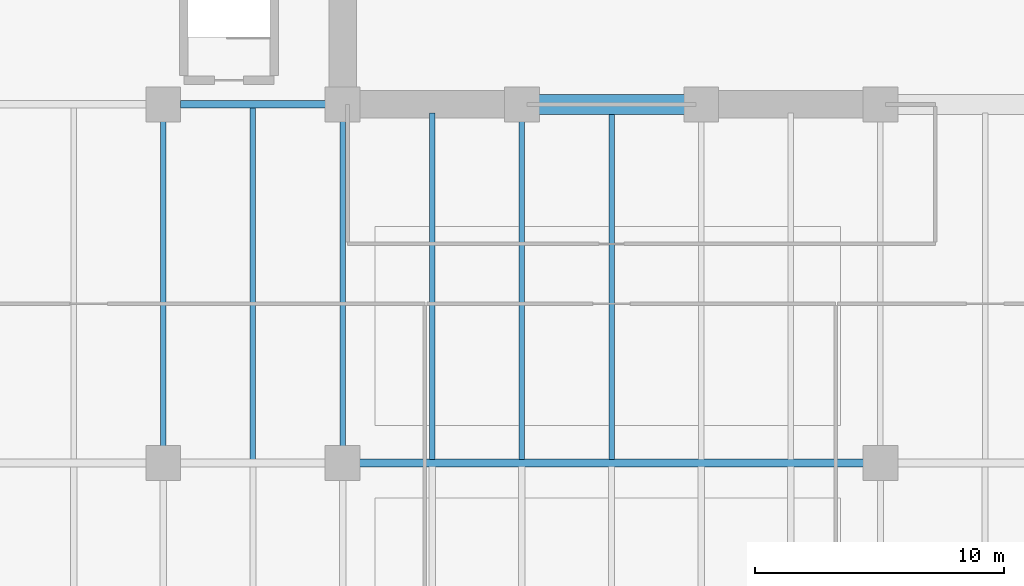
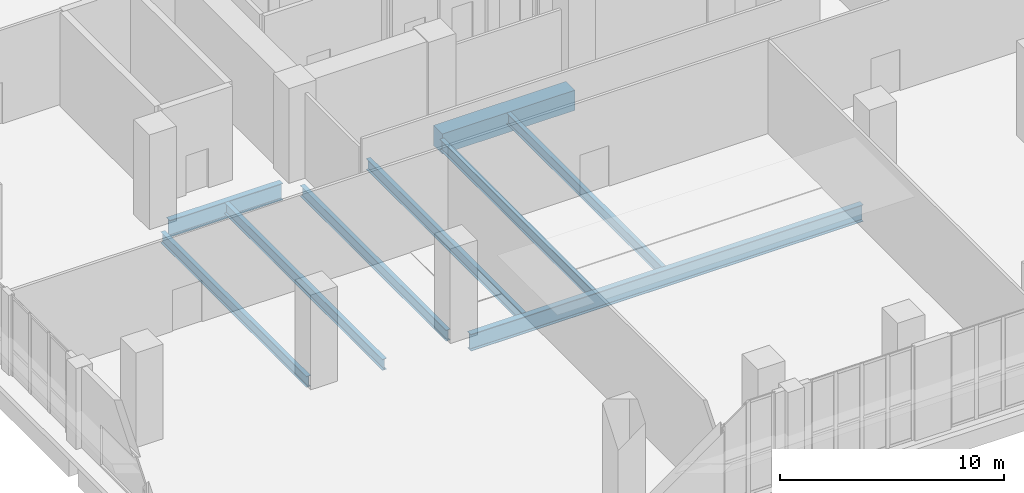
# One storey, part 7 of 25: 9 beams.
"""IFC4 building model written with IfcOpenShell, lengths in metres."""

from ifc_helpers import new_model, si_unit, direction, frame, origin, origin_2d, place, context, subcontext, project, spatial, rectangle, i_section, extrude, material, material_profile, profile_set, type_object, element, save


model = new_model("IFC4")

# Units and contexts
model_context = context("Model", 3, precision=1e-05, world=origin(), true_north=direction((0.0, 1.0)))
body_context = subcontext(model_context, "Body", "Model", "MODEL_VIEW")
ifc_project = project(units=[si_unit("LENGTHUNIT", "METRE"), si_unit("AREAUNIT", "SQUARE_METRE"), si_unit("VOLUMEUNIT", "CUBIC_METRE"), si_unit("PLANEANGLEUNIT", "RADIAN"), si_unit("MASSUNIT", "GRAM", prefix="KILO")], contexts=[model_context])

# Site, building, storey
site_placement = place(None, origin())
site = spatial("IfcSite", under=ifc_project, at=site_placement, CompositionType="ELEMENT")
building_placement = place(site_placement, origin())
building = spatial("IfcBuilding", under=site, at=building_placement, Name="Kaelvorn Grand Hotel", CompositionType="ELEMENT")
storey_placement = place(building_placement, frame((0.0, 0.0, 26.0)))
storey = spatial("IfcBuildingStorey", under=building, at=storey_placement, Name="L04", CompositionType="ELEMENT", Elevation=26.0)

# Beams
ifc_material_1 = material(Name="Steel S355", Category="steel")
ifc_material_profile_1 = material_profile(ifc_material_1, i_section(OverallWidth=0.305419921875, OverallDepth=0.91845703125, WebThickness=0.017333984375, FlangeThickness=0.02783203125, FilletRadius=0.01904296875, at=origin_2d()), Name="UB 914x305x253")
ifc_profile_set_1 = profile_set([ifc_material_profile_1], Name="Steel S355")
beam_type_1 = type_object("IfcBeamType", Name="BM-G-UB914-S355", PredefinedType="BEAM", material=ifc_profile_set_1)
beam_1_placement = place(storey_placement, frame((16.885009765625, 15.0, -0.779296875), z_axis=(1.0, 0.0, 0.0), x_axis=(0.0, 1.0, 0.0)))
element("IfcBeam", 1, at=beam_1_placement, inside=storey, type_object=beam_type_1, Name="L04 Primary Spine Steel Girder G-15 04", PredefinedType="BEAM", context=body_context, shape_type="SweptSolid", body=[
    extrude(i_section(OverallWidth=0.305419921875, OverallDepth=0.91845703125, WebThickness=0.017333984375, FlangeThickness=0.02783203125, FilletRadius=0.01904296875, at=origin_2d()), origin(), (0.0, 0.0, 1.0), 20.22998046875),
])
beam_2_placement = place(storey_placement, frame((9.68505859375, 29.39990234375, -0.779296875), z_axis=(1.0, 0.0, 0.0), x_axis=(0.0, 1.0, 0.0)))
element("IfcBeam", 2, at=beam_2_placement, inside=storey, type_object=beam_type_1, Name="L04 West Core Wing Steel Girder G-29W 03", PredefinedType="BEAM", context=body_context, shape_type="SweptSolid", body=[
    extrude(i_section(OverallWidth=0.305419921875, OverallDepth=0.91845703125, WebThickness=0.017333984375, FlangeThickness=0.02783203125, FilletRadius=0.01904296875, at=origin_2d()), origin(), (0.0, 0.0, 1.0), 5.829833984375),
])
ifc_material_profile_2 = material_profile(ifc_material_1, i_section(OverallWidth=0.219970703125, OverallDepth=0.60009765625, WebThickness=0.011962890625, FlangeThickness=0.01904296875, FilletRadius=0.02392578125, at=origin_2d()), Name="IPE 600")
ifc_profile_set_2 = profile_set([ifc_material_profile_2], Name="Steel S355")
beam_type_2 = type_object("IfcBeamType", Name="BM-J-IPE600-S355", PredefinedType="JOIST", material=ifc_profile_set_2)
beam_3_placement = place(storey_placement, frame((9.0, 15.68505859375, -0.6201171875), z_axis=(0.0, 1.0, 0.0), x_axis=(-1.0, 0.0, 0.0)))
element("IfcBeam", 3, at=beam_3_placement, inside=storey, type_object=beam_type_2, Name="L04 Composite Floor Joist JM-03", PredefinedType="JOIST", context=body_context, shape_type="SweptSolid", body=[
    extrude(i_section(OverallWidth=0.219970703125, OverallDepth=0.60009765625, WebThickness=0.011962890625, FlangeThickness=0.01904296875, FilletRadius=0.02392578125, at=origin_2d()), origin(), (0.0, 0.0, 1.0), 13.030029296875),
])
beam_4_placement = place(storey_placement, frame((12.60009765625, 15.1376953125, -0.6201171875), z_axis=(0.0, 1.0, 0.0), x_axis=(-1.0, 0.0, 0.0)))
element("IfcBeam", 4, at=beam_4_placement, inside=storey, type_object=beam_type_2, Name="L04 Composite Floor Joist JM-04", PredefinedType="JOIST", context=body_context, shape_type="SweptSolid", body=[
    extrude(i_section(OverallWidth=0.219970703125, OverallDepth=0.60009765625, WebThickness=0.011962890625, FlangeThickness=0.01904296875, FilletRadius=0.02392578125, at=origin_2d()), origin(), (0.0, 0.0, 1.0), 14.12451171875),
])
beam_5_placement = place(storey_placement, frame((16.199951171875, 15.68505859375, -0.6201171875), z_axis=(0.0, 1.0, 0.0), x_axis=(-1.0, 0.0, 0.0)))
element("IfcBeam", 5, at=beam_5_placement, inside=storey, type_object=beam_type_2, Name="L04 Composite Floor Joist JM-05", PredefinedType="JOIST", context=body_context, shape_type="SweptSolid", body=[
    extrude(i_section(OverallWidth=0.219970703125, OverallDepth=0.60009765625, WebThickness=0.011962890625, FlangeThickness=0.01904296875, FilletRadius=0.02392578125, at=origin_2d()), origin(), (0.0, 0.0, 1.0), 13.030029296875),
])
beam_6_placement = place(storey_placement, frame((19.800048828125, 15.1376953125, -0.6201171875), z_axis=(0.0, 1.0, 0.0), x_axis=(-1.0, 0.0, 0.0)))
element("IfcBeam", 6, at=beam_6_placement, inside=storey, type_object=beam_type_2, Name="L04 Composite Floor Joist JM-06", PredefinedType="JOIST", context=body_context, shape_type="SweptSolid", body=[
    extrude(i_section(OverallWidth=0.219970703125, OverallDepth=0.60009765625, WebThickness=0.011962890625, FlangeThickness=0.01904296875, FilletRadius=0.02392578125, at=origin_2d()), origin(), (0.0, 0.0, 1.0), 13.92236328125),
])
beam_7_placement = place(storey_placement, frame((23.39990234375, 15.1376953125, -0.6201171875), z_axis=(0.0, 1.0, 0.0), x_axis=(-1.0, 0.0, 0.0)))
element("IfcBeam", 7, at=beam_7_placement, inside=storey, type_object=beam_type_2, Name="L04 Composite Floor Joist JM-07", PredefinedType="JOIST", context=body_context, shape_type="SweptSolid", body=[
    extrude(i_section(OverallWidth=0.219970703125, OverallDepth=0.60009765625, WebThickness=0.011962890625, FlangeThickness=0.01904296875, FilletRadius=0.02392578125, at=origin_2d()), origin(), (0.0, 0.0, 1.0), 13.577392578125),
])
beam_8_placement = place(storey_placement, frame((27.0, 15.1376953125, -0.6201171875), z_axis=(0.0, 1.0, 0.0), x_axis=(-1.0, 0.0, 0.0)))
element("IfcBeam", 8, at=beam_8_placement, inside=storey, type_object=beam_type_2, Name="L04 Composite Floor Joist JM-08", PredefinedType="JOIST", context=body_context, shape_type="SweptSolid", body=[
    extrude(i_section(OverallWidth=0.219970703125, OverallDepth=0.60009765625, WebThickness=0.011962890625, FlangeThickness=0.01904296875, FilletRadius=0.02392578125, at=origin_2d()), origin(), (0.0, 0.0, 1.0), 13.92236328125),
])
ifc_material_2 = material(Name="Concrete C60/75", Category="concrete")
ifc_material_profile_3 = material_profile(ifc_material_2, rectangle(XDim=0.800048828125, YDim=1.10009765625, at=origin_2d()), Name="RC LINTEL 800x1100")
ifc_profile_set_3 = profile_set([ifc_material_profile_3], Name="Concrete C60/75")
beam_type_3 = type_object("IfcBeamType", Name="BM-LIN-800x1100-C60", PredefinedType="LINTEL", material=ifc_profile_set_3)
beam_9_placement = place(storey_placement, frame((23.580078125, 29.39990234375, -0.8701171875), z_axis=(1.0, 0.0, 0.0), x_axis=(0.0, 1.0, 0.0)))
element("IfcBeam", 9, at=beam_9_placement, inside=storey, type_object=beam_type_3, Name="L04 Rear-Core Coupling Lintel Beam CB1-01", PredefinedType="LINTEL", context=body_context, shape_type="SweptSolid", body=[
    extrude(rectangle(XDim=0.800048828125, YDim=1.10009765625, at=origin_2d()), origin(), (0.0, 0.0, 1.0), 6.83984375),
])

save(model, "model.ifc")
